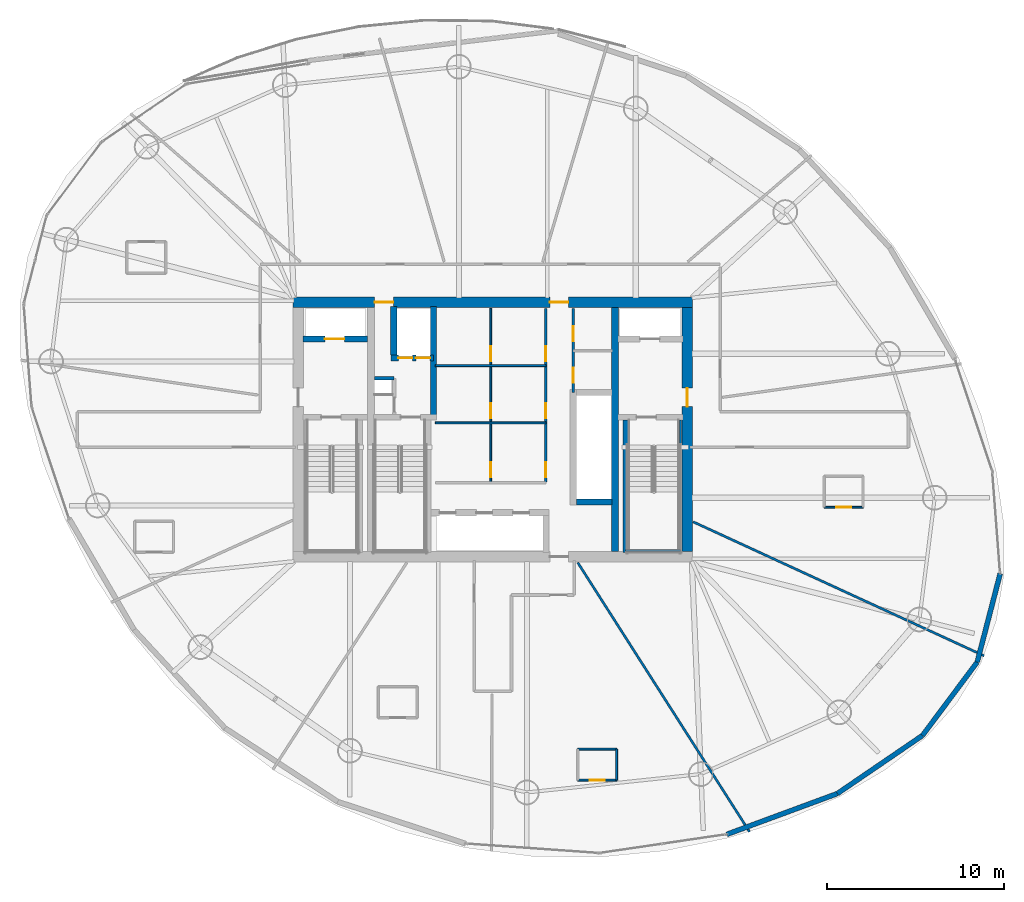
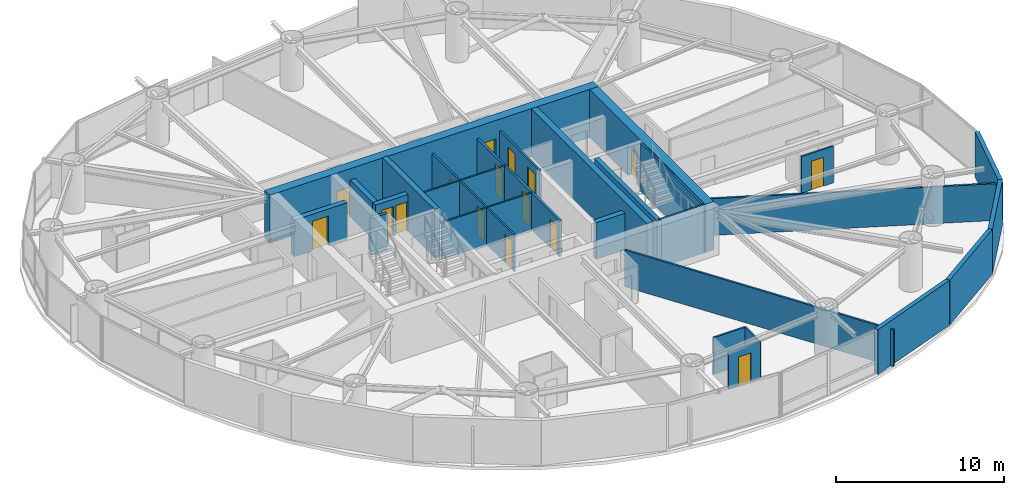
# One storey, part 18 of 22: 27 walls, 16 doors, 16 openings.
"""IFC4 building model written with IfcOpenShell, lengths in metres."""

from ifc_helpers import new_model, si_unit, direction, frame, frame_2d, origin, place, context, subcontext, project, spatial, rectangle, extrude, material, layer, layer_set, type_object, element, fill, save


model = new_model("IFC4")

# Units and contexts
model_context = context("Model", 3, precision=1e-05, world=origin(), true_north=direction((0.0, 1.0)))
body_context = subcontext(model_context, "Body", "Model", "MODEL_VIEW")
ifc_project = project(units=[si_unit("LENGTHUNIT", "METRE"), si_unit("AREAUNIT", "SQUARE_METRE"), si_unit("VOLUMEUNIT", "CUBIC_METRE"), si_unit("PLANEANGLEUNIT", "RADIAN"), si_unit("MASSUNIT", "GRAM", prefix="KILO")], contexts=[model_context])

# Site, building, storey
site_placement = place(None, origin())
site = spatial("IfcSite", under=ifc_project, at=site_placement, CompositionType="ELEMENT")
building_placement = place(site_placement, origin())
building = spatial("IfcBuilding", under=site, at=building_placement, Name="Bramvorn Convention Spire", CompositionType="ELEMENT")
storey_placement = place(building_placement, frame((0.0, 0.0, 134.300048828125)))
storey = spatial("IfcBuildingStorey", under=building, at=storey_placement, Name="L33", CompositionType="ELEMENT", Elevation=134.300048828125)

# Wall, openings, doors
ifc_material_1 = material(Name="Concrete C60/70", Category="concrete")
ifc_layer_1 = layer(ifc_material_1, 0.60009765625)
ifc_layer_set_1 = layer_set([ifc_layer_1], Name="Concrete C60/70 - WL-CORE-600")
wall_type_1 = type_object("IfcWallType", Name="WL-CORE-600", PredefinedType="SHEAR", material=ifc_layer_set_1)
wall_1_placement = place(storey_placement, frame((26.699951171875, 33.199951171875, 0.0), z_axis=(0.0, 0.0, 1.0), x_axis=(1.0, 0.0, 0.0)))
wall_1 = element("IfcWall", 1, at=wall_1_placement, inside=storey, type_object=wall_type_1, Name="L33 North RC core shear wall", PredefinedType="SHEAR", context=body_context, shape_type="SweptSolid", body=[
    extrude(rectangle(XDim=22.60009765625, YDim=0.60009765625, at=frame_2d((11.300048828125, 0.0))), origin(), (0.0, 0.0, 1.0), 3.5),
])
opening_1_placement = place(wall_1_placement, frame((4.6201171875, 0.0, 0.0)))
opening_1 = element("IfcOpeningElement", 2, at=opening_1_placement, cuts=wall_1, Name="Opening DL-105", PredefinedType="OPENING", context=body_context, shape_type="SweptSolid", body=[
    extrude(rectangle(XDim=1.050048828125, YDim=2.14990234375, at=frame_2d((0.52490234375, 1.074951171875))), frame((0.0, 0.31005859375, 0.0), z_axis=(0.0, -1.0, 0.0), x_axis=(1.0, 0.0, 0.0)), (0.0, 0.0, 1.0), 0.6201171875),
])
opening_2_placement = place(wall_1_placement, frame((14.52001953125, 0.0, 0.0)))
opening_2 = element("IfcOpeningElement", 3, at=opening_2_placement, cuts=wall_1, Name="Opening DL-105", PredefinedType="OPENING", context=body_context, shape_type="SweptSolid", body=[
    extrude(rectangle(XDim=1.050048828125, YDim=2.14990234375, at=frame_2d((0.52490234375, 1.074951171875))), frame((0.0, 0.31005859375, 0.0), z_axis=(0.0, -1.0, 0.0), x_axis=(1.0, 0.0, 0.0)), (0.0, 0.0, 1.0), 0.6201171875),
])
ifc_material_2 = material(Name="Smoke-Sealed Fire Lobby Timber-Core Door", Category="wood")
door_type_1 = type_object("IfcDoorType", Name="DR-LOBBY-1050", OperationType="NOTDEFINED", PredefinedType="DOOR", material=ifc_material_2)
door_1_placement = place(opening_1_placement, origin())
door_1 = element("IfcDoor", 4, at=door_1_placement, inside=storey, type_object=door_type_1, Name="L33 Service & Stair ST3 Lobby north corridor door", OperationType="SINGLE_SWING_LEFT", OverallHeight=2.14990234375, OverallWidth=1.050048828125, PredefinedType="DOOR", context=body_context, shape_type="SweptSolid", body=[
    extrude(rectangle(XDim=1.050048828125, YDim=2.14990234375, at=frame_2d((0.52490234375, 1.074951171875))), frame((0.0, 0.02490234375, 0.0), z_axis=(0.0, -1.0, 0.0), x_axis=(1.0, 0.0, 0.0)), (0.0, 0.0, 1.0), 0.050048828125),
])
fill(opening_1, door_1)
door_2_placement = place(opening_2_placement, origin())
door_2 = element("IfcDoor", 5, at=door_2_placement, inside=storey, type_object=door_type_1, Name="L33 North Lift Lobby fire door", OperationType="SINGLE_SWING_LEFT", OverallHeight=2.14990234375, OverallWidth=1.050048828125, PredefinedType="DOOR", context=body_context, shape_type="SweptSolid", body=[
    extrude(rectangle(XDim=1.050048828125, YDim=2.14990234375, at=frame_2d((0.52490234375, 1.074951171875))), frame((0.0, 0.02490234375, 0.0), z_axis=(0.0, -1.0, 0.0), x_axis=(1.0, 0.0, 0.0)), (0.0, 0.0, 1.0), 0.050048828125),
])
fill(opening_2, door_2)

# Wall, opening, door
wall_2_placement = place(storey_placement, frame((49.0, 19.10009765625, 0.0), z_axis=(0.0, 0.0, 1.0), x_axis=(0.0, 1.0, 0.0)))
wall_2 = element("IfcWall", 6, at=wall_2_placement, inside=storey, type_object=wall_type_1, Name="L33 East RC core shear wall", PredefinedType="SHEAR", context=body_context, shape_type="SweptSolid", body=[
    extrude(rectangle(XDim=13.7998046875, YDim=0.60009765625, at=frame_2d((6.89990234375, 0.0))), origin(), (0.0, 0.0, 1.0), 3.5),
])
opening_3_placement = place(wall_2_placement, frame((8.199951171875, 0.0, 0.0)))
opening_3 = element("IfcOpeningElement", 7, at=opening_3_placement, cuts=wall_2, Name="Opening DL-105", PredefinedType="OPENING", context=body_context, shape_type="SweptSolid", body=[
    extrude(rectangle(XDim=1.050048828125, YDim=2.14990234375, at=frame_2d((0.52490234375, 1.074951171875))), frame((0.0, 0.31005859375, 0.0), z_axis=(0.0, -1.0, 0.0), x_axis=(1.0, 0.0, 0.0)), (0.0, 0.0, 1.0), 0.6201171875),
])
door_3_placement = place(opening_3_placement, origin())
door_3 = element("IfcDoor", 8, at=door_3_placement, inside=storey, type_object=door_type_1, Name="L33 East Firefighting Lobby corridor door", OperationType="SINGLE_SWING_LEFT", OverallHeight=2.14990234375, OverallWidth=1.050048828125, PredefinedType="DOOR", context=body_context, shape_type="SweptSolid", body=[
    extrude(rectangle(XDim=1.050048828125, YDim=2.14990234375, at=frame_2d((0.52490234375, 1.074951171875))), frame((0.0, 0.02490234375, 0.0), z_axis=(0.0, -1.0, 0.0), x_axis=(1.0, 0.0, 0.0)), (0.0, 0.0, 1.0), 0.050048828125),
])
fill(opening_3, door_3)

ifc_material_3 = material(Name="Concrete C50/60", Category="concrete")
ifc_layer_2 = layer(ifc_material_3, 0.35009765625)
ifc_layer_set_2 = layer_set([ifc_layer_2], Name="Concrete C50/60 - WL-CORE-INT-350")
wall_type_2 = type_object("IfcWallType", Name="WL-CORE-INT-350", PredefinedType="SHEAR", material=ifc_layer_set_2)
wall_3_placement = place(storey_placement, frame((27.25, 31.1201171875, 0.0), z_axis=(0.0, 0.0, 1.0), x_axis=(1.0, 0.0, 0.0)))
wall_3 = element("IfcWall", 9, at=wall_3_placement, inside=storey, type_object=wall_type_2, Name="L33 FE1 shaft front wall", PredefinedType="SHEAR", context=body_context, shape_type="SweptSolid", body=[
    extrude(rectangle(XDim=3.669921875, YDim=0.35009765625, at=frame_2d((1.8349609375, 0.0))), origin(), (0.0, 0.0, 1.0), 2.675048828125),
])
opening_4_placement = place(wall_3_placement, frame((1.25, 0.0, 0.0)))
opening_4 = element("IfcOpeningElement", 10, at=opening_4_placement, cuts=wall_3, Name="Opening LD-110", PredefinedType="OPENING", context=body_context, shape_type="SweptSolid", body=[
    extrude(rectangle(XDim=1.10009765625, YDim=2.14990234375, at=frame_2d((0.550048828125, 1.074951171875))), frame((0.0, 0.18505859375, 0.0), z_axis=(0.0, -1.0, 0.0), x_axis=(1.0, 0.0, 0.0)), (0.0, 0.0, 1.0), 0.3701171875),
])
ifc_material_4 = material(Name="Firefighting & Service Lift Sliding Landing Door", Category="steel")
door_type_2 = type_object("IfcDoorType", Name="DR-LIFT-LD-1100", OperationType="NOTDEFINED", PredefinedType="DOOR", material=ifc_material_4)
door_4_placement = place(opening_4_placement, origin())
door_4 = element("IfcDoor", 11, at=door_4_placement, inside=storey, type_object=door_type_2, Name="L33 Lift FE1 Sliding Landing Door", OperationType="SLIDING_TO_LEFT", OverallHeight=2.14990234375, OverallWidth=1.10009765625, PredefinedType="DOOR", context=body_context, shape_type="SweptSolid", body=[
    extrude(rectangle(XDim=1.10009765625, YDim=2.14990234375, at=frame_2d((0.550048828125, 1.074951171875))), frame((0.0, 0.02490234375, 0.0), z_axis=(0.0, -1.0, 0.0), x_axis=(1.0, 0.0, 0.0)), (0.0, 0.0, 1.0), 0.050048828125),
])
fill(opening_4, door_4)

# Wall
wall_4_placement = place(storey_placement, frame((34.639892578125, 26.68994140625, 0.0), z_axis=(0.0, 0.0, 1.0), x_axis=(0.0, 1.0, 0.0)))
element("IfcWall", 12, at=wall_4_placement, inside=storey, type_object=wall_type_2, Name="L33 SV east core shaft wall", PredefinedType="SHEAR", context=body_context, shape_type="SweptSolid", body=[
    extrude(rectangle(XDim=6.260009765625, YDim=0.35009765625, at=frame_2d((3.1298828125, 0.0))), origin(), (0.0, 0.0, 1.0), 3.5),
])

# Wall, openings, doors
wall_5_placement = place(storey_placement, frame((32.22998046875, 30.050048828125, 0.0), z_axis=(0.0, 0.0, 1.0), x_axis=(1.0, 0.0, 0.0)))
wall_5 = element("IfcWall", 13, at=wall_5_placement, inside=storey, type_object=wall_type_2, Name="L33 SV1/SV2 shaft front wall", PredefinedType="SHEAR", context=body_context, shape_type="SweptSolid", body=[
    extrude(rectangle(XDim=2.409912109375, YDim=0.35009765625, at=frame_2d((1.205078125, 0.0))), origin(), (0.0, 0.0, 1.0), 2.675048828125),
])
opening_5_placement = place(wall_5_placement, frame((0.419921875, 0.0, 0.0)))
opening_5 = element("IfcOpeningElement", 14, at=opening_5_placement, cuts=wall_5, Name="Opening LD-080", PredefinedType="OPENING", context=body_context, shape_type="SweptSolid", body=[
    extrude(rectangle(XDim=0.800048828125, YDim=2.14990234375, at=frame_2d((0.39990234375, 1.074951171875))), frame((0.0, 0.18505859375, 0.0), z_axis=(0.0, -1.0, 0.0), x_axis=(1.0, 0.0, 0.0)), (0.0, 0.0, 1.0), 0.3701171875),
])
opening_6_placement = place(wall_5_placement, frame((1.419921875, 0.0, 0.0)))
opening_6 = element("IfcOpeningElement", 15, at=opening_6_placement, cuts=wall_5, Name="Opening LD-080", PredefinedType="OPENING", context=body_context, shape_type="SweptSolid", body=[
    extrude(rectangle(XDim=0.800048828125, YDim=2.14990234375, at=frame_2d((0.39990234375, 1.074951171875))), frame((0.0, 0.18505859375, 0.0), z_axis=(0.0, -1.0, 0.0), x_axis=(1.0, 0.0, 0.0)), (0.0, 0.0, 1.0), 0.3701171875),
])
ifc_material_5 = material(Name="Service Lift Bi-Parting Landing Door", Category="steel")
door_type_3 = type_object("IfcDoorType", Name="DR-LIFT-LD-800", OperationType="NOTDEFINED", PredefinedType="DOOR", material=ifc_material_5)
door_5_placement = place(opening_5_placement, origin())
door_5 = element("IfcDoor", 16, at=door_5_placement, inside=storey, type_object=door_type_3, Name="L33 Lift SV1 Sliding Landing Door", OperationType="SLIDING_TO_LEFT", OverallHeight=2.14990234375, OverallWidth=0.800048828125, PredefinedType="DOOR", context=body_context, shape_type="SweptSolid", body=[
    extrude(rectangle(XDim=0.800048828125, YDim=2.14990234375, at=frame_2d((0.39990234375, 1.074951171875))), frame((0.0, 0.02490234375, 0.0), z_axis=(0.0, -1.0, 0.0), x_axis=(1.0, 0.0, 0.0)), (0.0, 0.0, 1.0), 0.050048828125),
])
fill(opening_5, door_5)
door_6_placement = place(opening_6_placement, origin())
door_6 = element("IfcDoor", 17, at=door_6_placement, inside=storey, type_object=door_type_3, Name="L33 Lift SV2 Sliding Landing Door", OperationType="SLIDING_TO_LEFT", OverallHeight=2.14990234375, OverallWidth=0.800048828125, PredefinedType="DOOR", context=body_context, shape_type="SweptSolid", body=[
    extrude(rectangle(XDim=0.800048828125, YDim=2.14990234375, at=frame_2d((0.39990234375, 1.074951171875))), frame((0.0, 0.02490234375, 0.0), z_axis=(0.0, -1.0, 0.0), x_axis=(1.0, 0.0, 0.0)), (0.0, 0.0, 1.0), 0.050048828125),
])
fill(opening_6, door_6)

# Walls
wall_6_placement = place(storey_placement, frame((32.39990234375, 30.219970703125, 0.0), z_axis=(0.0, 0.0, 1.0), x_axis=(0.0, 1.0, 0.0)))
element("IfcWall", 18, at=wall_6_placement, inside=storey, type_object=wall_type_2, Name="L33 SV1 west hoistway wall", PredefinedType="SHEAR", context=body_context, shape_type="SweptSolid", body=[
    extrude(rectangle(XDim=2.72998046875, YDim=0.35009765625, at=frame_2d((1.364990234375, 0.0))), origin(), (0.0, 0.0, 1.0), 2.675048828125),
])
wall_7_placement = place(storey_placement, frame((42.719970703125, 21.89990234375, 0.0), z_axis=(0.0, 0.0, 1.0), x_axis=(1.0, 0.0, 0.0)))
element("IfcWall", 19, at=wall_7_placement, inside=storey, type_object=wall_type_2, Name="L33 High-rise lift bank south wall", PredefinedType="SHEAR", context=body_context, shape_type="SweptSolid", body=[
    extrude(rectangle(XDim=2.030029296875, YDim=0.35009765625, at=frame_2d((1.01513671875, 0.0))), origin(), (0.0, 0.0, 1.0), 2.675048828125),
])
ifc_layer_3 = layer(ifc_material_1, 0.39990234375)
ifc_layer_set_3 = layer_set([ifc_layer_3], Name="Concrete C60/70 - WL-CORE-INT-400")
wall_type_3 = type_object("IfcWallType", Name="WL-CORE-INT-400", PredefinedType="SHEAR", material=ifc_layer_set_3)
wall_8_placement = place(storey_placement, frame((44.89990234375, 19.10009765625, 0.0), z_axis=(0.0, 0.0, 1.0), x_axis=(0.0, 1.0, 0.0)))
element("IfcWall", 20, at=wall_8_placement, inside=storey, type_object=wall_type_3, Name="L33 East internal core shear web", PredefinedType="SHEAR", context=body_context, shape_type="SweptSolid", body=[
    extrude(rectangle(XDim=13.7998046875, YDim=0.39990234375, at=frame_2d((6.89990234375, 0.0))), origin(), (0.0, 0.0, 1.0), 3.5),
])
ifc_material_6 = material(Name="Precast Concrete C40/50 with Bronze Terracotta Rainscreen", Category="masonry")
ifc_layer_4 = layer(ifc_material_6, 0.300048828125)
ifc_layer_set_4 = layer_set([ifc_layer_4], Name="Precast Concrete C40/50 with Bronze Terracotta Rainscreen - WL-EXT-BRONZE-300")
wall_type_4 = type_object("IfcWallType", Name="WL-EXT-BRONZE-300", PredefinedType="SOLIDWALL", material=ifc_layer_set_4)
wall_9_placement = place(storey_placement, frame((66.68798828125, 17.857177734375, 0.0), z_axis=(0.0, 0.0, 1.0), x_axis=(-0.251584351693, -0.967835375456, 0.0)))
element("IfcWall", 21, at=wall_9_placement, inside=storey, type_object=wall_type_4, Name="L33 expressed bronze Gothic lancet pier wall 01", PredefinedType="SOLIDWALL", context=body_context, shape_type="SweptSolid", body=[
    extrude(rectangle(XDim=5.17431640625, YDim=0.280029296875, at=frame_2d((2.587158203125, 0.0))), origin(), (0.0, 0.0, 1.0), 3.260009765625),
])
wall_10_placement = place(storey_placement, frame((57.482177734375, 5.42041015625, 0.0), z_axis=(0.0, 0.0, 1.0), x_axis=(-0.93811276974, -0.346329945644, 0.0)))
element("IfcWall", 22, at=wall_10_placement, inside=storey, type_object=wall_type_4, Name="L33 expressed bronze Gothic lancet pier wall 22", PredefinedType="SOLIDWALL", context=body_context, shape_type="SweptSolid", body=[
    extrude(rectangle(XDim=6.665283203125, YDim=0.280029296875, at=frame_2d((3.33251953125, 0.0))), origin(), (0.0, 0.0, 1.0), 3.260009765625),
])
wall_11_placement = place(storey_placement, frame((62.291748046875, 8.7021484375, 0.0), z_axis=(0.0, 0.0, 1.0), x_axis=(-0.826028580414, -0.563628232382, 0.0)))
element("IfcWall", 23, at=wall_11_placement, inside=storey, type_object=wall_type_4, Name="L33 expressed bronze Gothic lancet pier wall 23", PredefinedType="SOLIDWALL", context=body_context, shape_type="SweptSolid", body=[
    extrude(rectangle(XDim=5.822509765625, YDim=0.280029296875, at=frame_2d((2.9111328125, 0.0))), origin(), (0.0, 0.0, 1.0), 3.260009765625),
])
wall_12_placement = place(storey_placement, frame((65.38623046875, 12.849365234375, 0.0), z_axis=(0.0, 0.0, 1.0), x_axis=(-0.598027873041, -0.80147530409, 0.0)))
element("IfcWall", 24, at=wall_12_placement, inside=storey, type_object=wall_type_4, Name="L33 expressed bronze Gothic lancet pier wall 24", PredefinedType="SOLIDWALL", context=body_context, shape_type="SweptSolid", body=[
    extrude(rectangle(XDim=5.174560546875, YDim=0.280029296875, at=frame_2d((2.58740234375, 0.0))), origin(), (0.0, 0.0, 1.0), 3.260009765625),
])

# Wall, openings, doors
ifc_material_7 = material(Name="Lightweight En-Suite & Wet-Wall Partition", Category="gypsum")
ifc_layer_5 = layer(ifc_material_7, 0.110107421875)
ifc_layer_set_5 = layer_set([ifc_layer_5], Name="Lightweight En-Suite & Wet-Wall Partition - WL-PART-110")
wall_type_5 = type_object("IfcWallType", Name="WL-PART-110", PredefinedType="PARTITIONING", material=ifc_layer_set_5)
wall_13_placement = place(storey_placement, frame((37.8798828125, 23.050048828125, 0.0), z_axis=(0.0, 0.0, 1.0), x_axis=(0.0, 1.0, 0.0)))
wall_13 = element("IfcWall", 25, at=wall_13_placement, inside=storey, type_object=wall_type_5, Name="L33 KB center wall", PredefinedType="PARTITIONING", context=body_context, shape_type="SweptSolid", body=[
    extrude(rectangle(XDim=9.800048828125, YDim=0.110107421875, at=frame_2d((4.89990234375, 0.0))), origin(), (0.0, 0.0, 1.0), 2.675048828125),
])
opening_7_placement = place(wall_13_placement, frame((0.25, 0.0, 0.0)))
opening_7 = element("IfcOpeningElement", 26, at=opening_7_placement, cuts=wall_13, Name="Opening DC-085", PredefinedType="OPENING", context=body_context, shape_type="SweptSolid", body=[
    extrude(rectangle(XDim=0.85009765625, YDim=2.10009765625, at=frame_2d((0.425048828125, 1.050048828125))), frame((0.0, 0.06494140625, 0.0), z_axis=(0.0, -1.0, 0.0), x_axis=(1.0, 0.0, 0.0)), (0.0, 0.0, 1.0), 0.130126953125),
])
opening_8_placement = place(wall_13_placement, frame((3.58203125, 0.0, 0.0)))
opening_8 = element("IfcOpeningElement", 27, at=opening_8_placement, cuts=wall_13, Name="Opening DC-085", PredefinedType="OPENING", context=body_context, shape_type="SweptSolid", body=[
    extrude(rectangle(XDim=0.85009765625, YDim=2.10009765625, at=frame_2d((0.425048828125, 1.050048828125))), frame((0.0, 0.06494140625, 0.0), z_axis=(0.0, -1.0, 0.0), x_axis=(1.0, 0.0, 0.0)), (0.0, 0.0, 1.0), 0.130126953125),
])
opening_9_placement = place(wall_13_placement, frame((6.81591796875, 0.0, 0.0)))
opening_9 = element("IfcOpeningElement", 28, at=opening_9_placement, cuts=wall_13, Name="Opening DC-085", PredefinedType="OPENING", context=body_context, shape_type="SweptSolid", body=[
    extrude(rectangle(XDim=0.85009765625, YDim=2.10009765625, at=frame_2d((0.425048828125, 1.050048828125))), frame((0.0, 0.06494140625, 0.0), z_axis=(0.0, -1.0, 0.0), x_axis=(1.0, 0.0, 0.0)), (0.0, 0.0, 1.0), 0.130126953125),
])
ifc_material_8 = material(Name="Fire-Rated Core Washroom & IDF Door", Category="wood")
door_type_4 = type_object("IfcDoorType", Name="DR-CORE-850", OperationType="NOTDEFINED", PredefinedType="DOOR", material=ifc_material_8)
door_7_placement = place(opening_7_placement, origin())
door_7 = element("IfcDoor", 29, at=door_7_placement, inside=storey, type_object=door_type_4, Name="L33 Core Linen Store door", OperationType="SINGLE_SWING_LEFT", OverallHeight=2.10009765625, OverallWidth=0.85009765625, PredefinedType="DOOR", context=body_context, shape_type="SweptSolid", body=[
    extrude(rectangle(XDim=0.85009765625, YDim=2.10009765625, at=frame_2d((0.425048828125, 1.050048828125))), frame((0.0, 0.02490234375, 0.0), z_axis=(0.0, -1.0, 0.0), x_axis=(1.0, 0.0, 0.0)), (0.0, 0.0, 1.0), 0.050048828125),
])
fill(opening_7, door_7)
door_8_placement = place(opening_8_placement, origin())
door_8 = element("IfcDoor", 30, at=door_8_placement, inside=storey, type_object=door_type_4, Name="L33 Core Metering Closet door", OperationType="SINGLE_SWING_LEFT", OverallHeight=2.10009765625, OverallWidth=0.85009765625, PredefinedType="DOOR", context=body_context, shape_type="SweptSolid", body=[
    extrude(rectangle(XDim=0.85009765625, YDim=2.10009765625, at=frame_2d((0.425048828125, 1.050048828125))), frame((0.0, 0.02490234375, 0.0), z_axis=(0.0, -1.0, 0.0), x_axis=(1.0, 0.0, 0.0)), (0.0, 0.0, 1.0), 0.050048828125),
])
fill(opening_8, door_8)
door_9_placement = place(opening_9_placement, origin())
door_9 = element("IfcDoor", 31, at=door_9_placement, inside=storey, type_object=door_type_4, Name="L33 Core Janitor Supply door", OperationType="SINGLE_SWING_LEFT", OverallHeight=2.10009765625, OverallWidth=0.85009765625, PredefinedType="DOOR", context=body_context, shape_type="SweptSolid", body=[
    extrude(rectangle(XDim=0.85009765625, YDim=2.10009765625, at=frame_2d((0.425048828125, 1.050048828125))), frame((0.0, 0.02490234375, 0.0), z_axis=(0.0, -1.0, 0.0), x_axis=(1.0, 0.0, 0.0)), (0.0, 0.0, 1.0), 0.050048828125),
])
fill(opening_9, door_9)

# Walls
for number, where, z_axis, x_axis, name in (
    (32, (34.75, 26.382080078125, 0.0), (0.0, 0.0, 1.0), (1.0, 0.0, 0.0), "L33 KB divider 1"),
    (33, (34.75, 29.615966796875, 0.0), (0.0, 0.0, 1.0), (1.0, 0.0, 0.0), "L33 KB divider 2"),
):
    element("IfcWall", number, at=place(storey_placement, frame(where, z_axis=z_axis, x_axis=x_axis)), inside=storey, type_object=wall_type_5, Name=name, PredefinedType="PARTITIONING", context=body_context, shape_type="SweptSolid", body=[
        extrude(rectangle(XDim=6.25, YDim=0.110107421875, at=frame_2d((3.125, 0.0))), origin(), (0.0, 0.0, 1.0), 2.675048828125),
    ])

# Wall, opening, door
wall_14_placement = place(storey_placement, frame((42.803466796875, 6.1748046875, 0.0), z_axis=(0.0, 0.0, 1.0), x_axis=(1.0, 0.0, 0.0)))
wall_14 = element("IfcWall", 34, at=wall_14_placement, inside=storey, type_object=wall_type_5, Name="Hotel Suite 3309 en-suite south wall", PredefinedType="PARTITIONING", context=body_context, shape_type="SweptSolid", body=[
    extrude(rectangle(XDim=2.199951171875, YDim=0.110107421875, at=frame_2d((1.10009765625, 0.0))), origin(), (0.0, 0.0, 1.0), 2.675048828125),
])
opening_10_placement = place(wall_14_placement, frame((0.679931640625, 0.0, 0.0)))
opening_10 = element("IfcOpeningElement", 35, at=opening_10_placement, cuts=wall_14, Name="Opening DI-085", PredefinedType="OPENING", context=body_context, shape_type="SweptSolid", body=[
    extrude(rectangle(XDim=0.85009765625, YDim=2.10009765625, at=frame_2d((0.425048828125, 1.050048828125))), frame((0.0, 0.06494140625, 0.0), z_axis=(0.0, -1.0, 0.0), x_axis=(1.0, 0.0, 0.0)), (0.0, 0.0, 1.0), 0.130126953125),
])
ifc_material_9 = material(Name="En-Suite & Restroom Privacy Door", Category="wood")
door_type_5 = type_object("IfcDoorType", Name="DR-INT-850", OperationType="NOTDEFINED", PredefinedType="DOOR", material=ifc_material_9)
door_10_placement = place(opening_10_placement, origin())
door_10 = element("IfcDoor", 36, at=door_10_placement, inside=storey, type_object=door_type_5, Name="Hotel Suite 3309 En-Suite Bathroom door", OperationType="SINGLE_SWING_LEFT", OverallHeight=2.10009765625, OverallWidth=0.85009765625, PredefinedType="DOOR", context=body_context, shape_type="SweptSolid", body=[
    extrude(rectangle(XDim=0.85009765625, YDim=2.10009765625, at=frame_2d((0.425048828125, 1.050048828125))), frame((0.0, 0.02490234375, 0.0), z_axis=(0.0, -1.0, 0.0), x_axis=(1.0, 0.0, 0.0)), (0.0, 0.0, 1.0), 0.050048828125),
])
fill(opening_10, door_10)

# Walls
wall_15_placement = place(storey_placement, frame((42.803466796875, 7.934814453125, 0.0), z_axis=(0.0, 0.0, 1.0), x_axis=(1.0, 0.0, 0.0)))
element("IfcWall", 37, at=wall_15_placement, inside=storey, type_object=wall_type_5, Name="Hotel Suite 3309 en-suite north wall", PredefinedType="PARTITIONING", context=body_context, shape_type="SweptSolid", body=[
    extrude(rectangle(XDim=2.199951171875, YDim=0.110107421875, at=frame_2d((1.10009765625, 0.0))), origin(), (0.0, 0.0, 1.0), 2.675048828125),
])
wall_16_placement = place(storey_placement, frame((45.00341796875, 6.1748046875, 0.0), z_axis=(0.0, 0.0, 1.0), x_axis=(0.0, 1.0, 0.0)))
element("IfcWall", 38, at=wall_16_placement, inside=storey, type_object=wall_type_5, Name="Hotel Suite 3309 en-suite east wall", PredefinedType="PARTITIONING", context=body_context, shape_type="SweptSolid", body=[
    extrude(rectangle(XDim=1.760009765625, YDim=0.110107421875, at=frame_2d((0.8798828125, 0.0))), origin(), (0.0, 0.0, 1.0), 2.675048828125),
])

# Wall, opening, door
wall_17_placement = place(storey_placement, frame((56.73046875, 21.60986328125, 0.0), z_axis=(0.0, 0.0, 1.0), x_axis=(1.0, 0.0, 0.0)))
wall_17 = element("IfcWall", 39, at=wall_17_placement, inside=storey, type_object=wall_type_5, Name="Hotel Suite 3311 en-suite south wall", PredefinedType="PARTITIONING", context=body_context, shape_type="SweptSolid", body=[
    extrude(rectangle(XDim=2.199951171875, YDim=0.110107421875, at=frame_2d((1.10009765625, 0.0))), origin(), (0.0, 0.0, 1.0), 2.675048828125),
])
opening_11_placement = place(wall_17_placement, frame((0.679931640625, 0.0, 0.0)))
opening_11 = element("IfcOpeningElement", 40, at=opening_11_placement, cuts=wall_17, Name="Opening DI-085", PredefinedType="OPENING", context=body_context, shape_type="SweptSolid", body=[
    extrude(rectangle(XDim=0.85009765625, YDim=2.10009765625, at=frame_2d((0.425048828125, 1.050048828125))), frame((0.0, 0.06494140625, 0.0), z_axis=(0.0, -1.0, 0.0), x_axis=(1.0, 0.0, 0.0)), (0.0, 0.0, 1.0), 0.130126953125),
])
door_11_placement = place(opening_11_placement, origin())
door_11 = element("IfcDoor", 41, at=door_11_placement, inside=storey, type_object=door_type_5, Name="Hotel Suite 3311 En-Suite Bathroom door", OperationType="SINGLE_SWING_LEFT", OverallHeight=2.10009765625, OverallWidth=0.85009765625, PredefinedType="DOOR", context=body_context, shape_type="SweptSolid", body=[
    extrude(rectangle(XDim=0.85009765625, YDim=2.10009765625, at=frame_2d((0.425048828125, 1.050048828125))), frame((0.0, 0.02490234375, 0.0), z_axis=(0.0, -1.0, 0.0), x_axis=(1.0, 0.0, 0.0)), (0.0, 0.0, 1.0), 0.050048828125),
])
fill(opening_11, door_11)

# Wall, openings, doors
ifc_material_10 = material(Name="Metal-Stud Demountable Office Partition", Category="gypsum")
ifc_layer_6 = layer(ifc_material_10, 0.1298828125)
ifc_layer_set_6 = layer_set([ifc_layer_6], Name="Metal-Stud Demountable Office Partition - WL-PART-130")
wall_type_6 = type_object("IfcWallType", Name="WL-PART-130", PredefinedType="PARTITIONING", material=ifc_layer_set_6)
wall_18_placement = place(storey_placement, frame((42.550048828125, 28.10009765625, 0.0), z_axis=(0.0, 0.0, 1.0), x_axis=(0.0, 1.0, 0.0)))
wall_18 = element("IfcWall", 42, at=wall_18_placement, inside=storey, type_object=wall_type_6, Name="L33 KB NE split wall", PredefinedType="PARTITIONING", context=body_context, shape_type="SweptSolid", body=[
    extrude(rectangle(XDim=4.75, YDim=0.1298828125, at=frame_2d((2.375, 0.0))), origin(), (0.0, 0.0, 1.0), 2.675048828125),
])
opening_12_placement = place(wall_18_placement, frame((0.550048828125, 0.0, 0.0)))
opening_12 = element("IfcOpeningElement", 43, at=opening_12_placement, cuts=wall_18, Name="Opening DC-085", PredefinedType="OPENING", context=body_context, shape_type="SweptSolid", body=[
    extrude(rectangle(XDim=0.85009765625, YDim=2.10009765625, at=frame_2d((0.425048828125, 1.050048828125))), frame((0.0, 0.074951171875, 0.0), z_axis=(0.0, -1.0, 0.0), x_axis=(1.0, 0.0, 0.0)), (0.0, 0.0, 1.0), 0.14990234375),
])
opening_13_placement = place(wall_18_placement, frame((2.89990234375, 0.0, 0.0)))
opening_13 = element("IfcOpeningElement", 44, at=opening_13_placement, cuts=wall_18, Name="Opening DC-085", PredefinedType="OPENING", context=body_context, shape_type="SweptSolid", body=[
    extrude(rectangle(XDim=0.85009765625, YDim=2.10009765625, at=frame_2d((0.425048828125, 1.050048828125))), frame((0.0, 0.074951171875, 0.0), z_axis=(0.0, -1.0, 0.0), x_axis=(1.0, 0.0, 0.0)), (0.0, 0.0, 1.0), 0.14990234375),
])
door_12_placement = place(opening_12_placement, origin())
door_12 = element("IfcDoor", 45, at=door_12_placement, inside=storey, type_object=door_type_4, Name="L33 Core Staff WC door", OperationType="SINGLE_SWING_LEFT", OverallHeight=2.10009765625, OverallWidth=0.85009765625, PredefinedType="DOOR", context=body_context, shape_type="SweptSolid", body=[
    extrude(rectangle(XDim=0.85009765625, YDim=2.10009765625, at=frame_2d((0.425048828125, 1.050048828125))), frame((0.0, 0.02490234375, 0.0), z_axis=(0.0, -1.0, 0.0), x_axis=(1.0, 0.0, 0.0)), (0.0, 0.0, 1.0), 0.050048828125),
])
fill(opening_12, door_12)
door_13_placement = place(opening_13_placement, origin())
door_13 = element("IfcDoor", 46, at=door_13_placement, inside=storey, type_object=door_type_4, Name="L33 Core Data Closet door", OperationType="SINGLE_SWING_LEFT", OverallHeight=2.10009765625, OverallWidth=0.85009765625, PredefinedType="DOOR", context=body_context, shape_type="SweptSolid", body=[
    extrude(rectangle(XDim=0.85009765625, YDim=2.10009765625, at=frame_2d((0.425048828125, 1.050048828125))), frame((0.0, 0.02490234375, 0.0), z_axis=(0.0, -1.0, 0.0), x_axis=(1.0, 0.0, 0.0)), (0.0, 0.0, 1.0), 0.050048828125),
])
fill(opening_13, door_13)

# Walls
wall_19_placement = place(storey_placement, frame((42.79931640625, 18.47998046875, 0.0), z_axis=(0.0, 0.0, 1.0), x_axis=(0.537959445607, -0.842970720063, 0.0)))
element("IfcWall", 47, at=wall_19_placement, inside=storey, type_object=wall_type_6, Name="L33 Guestroom demising wall 10", PredefinedType="PARTITIONING", context=body_context, shape_type="SweptSolid", body=[
    extrude(rectangle(XDim=18.064208984375, YDim=0.1298828125, at=frame_2d((9.0322265625, 0.0))), origin(), (0.0, 0.0, 1.0), 2.675048828125),
])
wall_20_placement = place(storey_placement, frame((49.320068359375, 20.786865234375, 0.0), z_axis=(0.0, 0.0, 1.0), x_axis=(0.908308798859, -0.418300281993, 0.0)))
element("IfcWall", 48, at=wall_20_placement, inside=storey, type_object=wall_type_6, Name="L33 Guestroom demising wall 11", PredefinedType="PARTITIONING", context=body_context, shape_type="SweptSolid", body=[
    extrude(rectangle(XDim=18.122802734375, YDim=0.1298828125, at=frame_2d((9.0615234375, 0.0))), origin(), (0.0, 0.0, 1.0), 2.675048828125),
])

# Wall, openings, doors
ifc_material_11 = material(Name="Acoustic Metal-Stud Tenant/Corridor Partition", Category="gypsum")
ifc_layer_7 = layer(ifc_material_11, 0.14990234375)
ifc_layer_set_7 = layer_set([ifc_layer_7], Name="Acoustic Metal-Stud Tenant/Corridor Partition - WL-PART-150")
wall_type_7 = type_object("IfcWallType", Name="WL-PART-150", PredefinedType="PARTITIONING", material=ifc_layer_set_7)
wall_21_placement = place(storey_placement, frame((41.0, 23.050048828125, 0.0), z_axis=(0.0, 0.0, 1.0), x_axis=(0.0, 1.0, 0.0)))
wall_21 = element("IfcWall", 49, at=wall_21_placement, inside=storey, type_object=wall_type_7, Name="L33 KB east core wall", PredefinedType="PARTITIONING", context=body_context, shape_type="SweptSolid", body=[
    extrude(rectangle(XDim=9.800048828125, YDim=0.14990234375, at=frame_2d((4.89990234375, 0.0))), origin(), (0.0, 0.0, 1.0), 2.675048828125),
])
opening_14_placement = place(wall_21_placement, frame((0.25, 0.0, 0.0)))
opening_14 = element("IfcOpeningElement", 50, at=opening_14_placement, cuts=wall_21, Name="Opening DC-085", PredefinedType="OPENING", context=body_context, shape_type="SweptSolid", body=[
    extrude(rectangle(XDim=0.85009765625, YDim=2.10009765625, at=frame_2d((0.425048828125, 1.050048828125))), frame((0.0, 0.0849609375, 0.0), z_axis=(0.0, -1.0, 0.0), x_axis=(1.0, 0.0, 0.0)), (0.0, 0.0, 1.0), 0.169921875),
])
opening_15_placement = place(wall_21_placement, frame((3.58203125, 0.0, 0.0)))
opening_15 = element("IfcOpeningElement", 51, at=opening_15_placement, cuts=wall_21, Name="Opening DC-085", PredefinedType="OPENING", context=body_context, shape_type="SweptSolid", body=[
    extrude(rectangle(XDim=0.85009765625, YDim=2.10009765625, at=frame_2d((0.425048828125, 1.050048828125))), frame((0.0, 0.0849609375, 0.0), z_axis=(0.0, -1.0, 0.0), x_axis=(1.0, 0.0, 0.0)), (0.0, 0.0, 1.0), 0.169921875),
])
opening_16_placement = place(wall_21_placement, frame((6.81591796875, 0.0, 0.0)))
opening_16 = element("IfcOpeningElement", 52, at=opening_16_placement, cuts=wall_21, Name="Opening DC-085", PredefinedType="OPENING", context=body_context, shape_type="SweptSolid", body=[
    extrude(rectangle(XDim=0.85009765625, YDim=2.10009765625, at=frame_2d((0.425048828125, 1.050048828125))), frame((0.0, 0.0849609375, 0.0), z_axis=(0.0, -1.0, 0.0), x_axis=(1.0, 0.0, 0.0)), (0.0, 0.0, 1.0), 0.169921875),
])
door_14_placement = place(opening_14_placement, origin())
door_14 = element("IfcDoor", 53, at=door_14_placement, inside=storey, type_object=door_type_4, Name="L33 Accessible Core Restroom door", OperationType="SINGLE_SWING_LEFT", OverallHeight=2.10009765625, OverallWidth=0.85009765625, PredefinedType="DOOR", context=body_context, shape_type="SweptSolid", body=[
    extrude(rectangle(XDim=0.85009765625, YDim=2.10009765625, at=frame_2d((0.425048828125, 1.050048828125))), frame((0.0, 0.02490234375, 0.0), z_axis=(0.0, -1.0, 0.0), x_axis=(1.0, 0.0, 0.0)), (0.0, 0.0, 1.0), 0.050048828125),
])
fill(opening_14, door_14)
door_15_placement = place(opening_15_placement, origin())
door_15 = element("IfcDoor", 54, at=door_15_placement, inside=storey, type_object=door_type_4, Name="L33 Floor Housekeeping & Linen Store door", OperationType="SINGLE_SWING_LEFT", OverallHeight=2.10009765625, OverallWidth=0.85009765625, PredefinedType="DOOR", context=body_context, shape_type="SweptSolid", body=[
    extrude(rectangle(XDim=0.85009765625, YDim=2.10009765625, at=frame_2d((0.425048828125, 1.050048828125))), frame((0.0, 0.02490234375, 0.0), z_axis=(0.0, -1.0, 0.0), x_axis=(1.0, 0.0, 0.0)), (0.0, 0.0, 1.0), 0.050048828125),
])
fill(opening_15, door_15)
door_16_placement = place(opening_16_placement, origin())
door_16 = element("IfcDoor", 55, at=door_16_placement, inside=storey, type_object=door_type_4, Name="L33 Gender-Neutral Core WC door", OperationType="SINGLE_SWING_LEFT", OverallHeight=2.10009765625, OverallWidth=0.85009765625, PredefinedType="DOOR", context=body_context, shape_type="SweptSolid", body=[
    extrude(rectangle(XDim=0.85009765625, YDim=2.10009765625, at=frame_2d((0.425048828125, 1.050048828125))), frame((0.0, 0.02490234375, 0.0), z_axis=(0.0, -1.0, 0.0), x_axis=(1.0, 0.0, 0.0)), (0.0, 0.0, 1.0), 0.050048828125),
])
fill(opening_16, door_16)

# Walls
ifc_material_12 = material(Name="Gypsum Shaftwall & Rockwool Core Partition", Category="gypsum")
ifc_layer_8 = layer(ifc_material_12, 0.199951171875)
ifc_layer_set_8 = layer_set([ifc_layer_8], Name="Gypsum Shaftwall & Rockwool Core Partition - WL-PART-200-FR")
wall_type_8 = type_object("IfcWallType", Name="WL-PART-200-FR", PredefinedType="PARTITIONING", material=ifc_layer_set_8)
wall_22_placement = place(storey_placement, frame((31.300048828125, 28.89990234375, 0.0), z_axis=(0.0, 0.0, 1.0), x_axis=(1.0, 0.0, 0.0)))
element("IfcWall", 56, at=wall_22_placement, inside=storey, type_object=wall_type_8, Name="L33 Telecom riser north wall", PredefinedType="PARTITIONING", context=body_context, shape_type="SweptSolid", body=[
    extrude(rectangle(XDim=1.119873046875, YDim=0.199951171875, at=frame_2d((0.56005859375, 0.0))), origin(), (0.0, 0.0, 1.0), 2.675048828125),
])
ifc_layer_9 = layer(ifc_material_3, 0.300048828125)
ifc_layer_set_9 = layer_set([ifc_layer_9], Name="Concrete C50/60 - WL-POD-STAIR-300")
wall_type_9 = type_object("IfcWallType", Name="WL-POD-STAIR-300", PredefinedType="SHEAR", material=ifc_layer_set_9)
wall_23_placement = place(storey_placement, frame((45.510009765625, 19.050048828125, 0.0), z_axis=(0.0, 0.0, 1.0), x_axis=(0.0, 1.0, 0.0)))
element("IfcWall", 57, at=wall_23_placement, inside=storey, type_object=wall_type_9, Name="L33 ST2 west bearing wall", PredefinedType="SHEAR", context=body_context, shape_type="SweptSolid", body=[
    extrude(rectangle(XDim=7.5, YDim=0.300048828125, at=frame_2d((3.75, 0.0))), origin(), (0.0, 0.0, 1.0), 3.5),
])
ifc_layer_10 = layer(ifc_material_3, 0.1201171875)
ifc_layer_set_10 = layer_set([ifc_layer_10], Name="Concrete C50/60 - WL-STAIR-RC-120")
wall_type_10 = type_object("IfcWallType", Name="WL-STAIR-RC-120", PredefinedType="SHEAR", material=ifc_layer_set_10)
wall_24_placement = place(storey_placement, frame((48.60498046875, 19.10009765625, 0.0), z_axis=(0.0, 0.0, 1.0), x_axis=(0.0, 1.0, 0.0)))
element("IfcWall", 58, at=wall_24_placement, inside=storey, type_object=wall_type_10, Name="L33 ST2 east bearing shear wall", PredefinedType="SHEAR", context=body_context, shape_type="SweptSolid", body=[
    extrude(rectangle(XDim=7.449951171875, YDim=0.1201171875, at=frame_2d((3.72509765625, 0.0))), origin(), (0.0, 0.0, 1.0), 3.5),
])
wall_25_placement = place(storey_placement, frame((45.510009765625, 19.159912109375, 0.0), z_axis=(0.0, 0.0, 1.0), x_axis=(1.0, 0.0, 0.0)))
element("IfcWall", 59, at=wall_25_placement, inside=storey, type_object=wall_type_10, Name="L33 ST2 south bearing shear wall", PredefinedType="SHEAR", context=body_context, shape_type="SweptSolid", body=[
    extrude(rectangle(XDim=3.094970703125, YDim=0.1201171875, at=frame_2d((1.54736328125, 0.0))), origin(), (0.0, 0.0, 1.0), 3.5),
])

save(model, "model.ifc")
